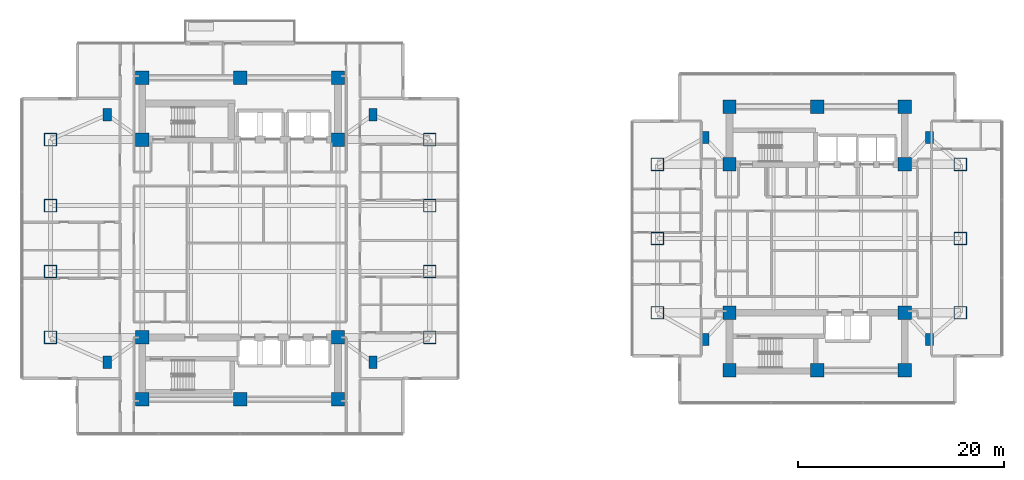
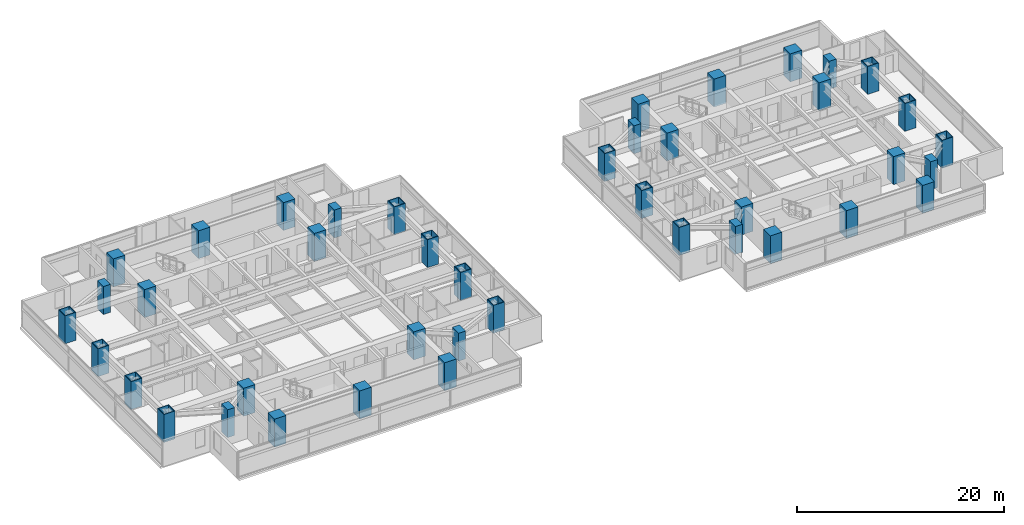
# One storey, part 1 of 25: 42 columns.
"""IFC4 building model written with IfcOpenShell, lengths in metres."""

import ifcopenshell
import ifcopenshell.guid

model = None  # the IFC model being written
_history = None  # IfcOwnerHistory: only IFC2X3 demands one
_inside = {}  # id of a spatial element -> (the spatial element, [elements in it])
_under = {}  # id of a project, library or spatial element -> (it, [spatial elements below it])
_declared = {}  # id of a project -> (the project, [libraries it declares])
_typed = {}  # id of a type object -> (the type object, [elements of that type])
_made_of = {}  # id of a material, layer set ... -> (it, [elements and type objects made of it])


def new_model(schema):
    """Start an empty IFC model of exactly this schema.

    Asked for "IFC4X3", IfcOpenShell would pick the latest addendum, in which some entities
    have other attributes; the version numbers below select the first issue.
    IFC2X3 requires an IfcOwnerHistory on every rooted entity: one is made here for all.
    """
    global model, _history
    if schema == "IFC4X3":
        model = ifcopenshell.file(schema_version=(4, 3, 0, 0))
    else:
        model = ifcopenshell.file(schema=schema)
    _inside.clear()
    _under.clear()
    _declared.clear()
    _typed.clear()
    _made_of.clear()
    _history = None
    if model.schema == "IFC2X3":
        org = make("IfcOrganization", Name="unknown")
        user = make(
            "IfcPersonAndOrganization",
            ThePerson=make("IfcPerson", FamilyName="unknown"),
            TheOrganization=org,
        )
        app = make(
            "IfcApplication",
            ApplicationDeveloper=org,
            Version="unknown",
            ApplicationFullName="unknown",
            ApplicationIdentifier="unknown",
        )
        _history = make(
            "IfcOwnerHistory",
            OwningUser=user,
            OwningApplication=app,
            ChangeAction="ADDED",
            CreationDate=0,
        )
    return model


def make(cls, **values):
    """One entity of the class cls with the attributes given. An attribute that is None is left unset."""
    return model.create_entity(
        cls, **{name: value for name, value in values.items() if value is not None}
    )


def rooted(cls, **values):
    """An entity with a GlobalId (a new one), such as an element, a storey or a relation."""
    return make(cls, GlobalId=ifcopenshell.guid.new(), OwnerHistory=_history, **values)


def si_unit(unit_type, name, prefix=None):
    """IfcSIUnit, for example si_unit("LENGTHUNIT", "METRE", prefix="MILLI")."""
    return make("IfcSIUnit", UnitType=unit_type, Prefix=prefix, Name=name)


def assignment(units):
    """IfcUnitAssignment: the units of a project."""
    return None if units is None else make("IfcUnitAssignment", Units=units)


def point(xyz):
    """IfcCartesianPoint."""
    return None if xyz is None else make("IfcCartesianPoint", Coordinates=xyz)


def direction(xyz):
    """IfcDirection."""
    return None if xyz is None else make("IfcDirection", DirectionRatios=xyz)


def frame(location, z_axis=None, x_axis=None):
    """IfcAxis2Placement3D, a coordinate frame: its origin and axes. An axis left out is left unset."""
    return make(
        "IfcAxis2Placement3D",
        Location=point(location),
        Axis=direction(z_axis),
        RefDirection=direction(x_axis),
    )


def frame_2d(location, x_axis=None):
    """IfcAxis2Placement2D, a coordinate frame in the plane: its origin and x axis."""
    return make(
        "IfcAxis2Placement2D", Location=point(location), RefDirection=direction(x_axis)
    )


def origin():
    """The frame at (0, 0, 0) with its axes left unset."""
    return frame((0.0, 0.0, 0.0))


def origin_2d():
    """The frame at (0, 0) in the plane with its x axis left unset."""
    return frame_2d((0.0, 0.0))


def place(relative_to, where):
    """IfcLocalPlacement: puts the frame where relative to a parent placement (None: the world)."""
    return make(
        "IfcLocalPlacement", PlacementRelTo=relative_to, RelativePlacement=where
    )


def context(
    kind, dimensions, precision=None, world=None, true_north=None, identifier=None
):
    """IfcGeometricRepresentationContext, for example the 3D "Model" context."""
    return make(
        "IfcGeometricRepresentationContext",
        ContextIdentifier=identifier,
        ContextType=kind,
        CoordinateSpaceDimension=dimensions,
        Precision=precision,
        WorldCoordinateSystem=world,
        TrueNorth=true_north,
    )


def subcontext(parent, identifier, kind, view, scale=None):
    """IfcGeometricRepresentationSubContext, for example "Body" below "Model"."""
    return make(
        "IfcGeometricRepresentationSubContext",
        ContextIdentifier=identifier,
        ContextType=kind,
        ParentContext=parent,
        TargetScale=scale,
        TargetView=view,
    )


def project(units=None, contexts=None):
    """IfcProject with its units and contexts."""
    return rooted(
        "IfcProject",
        Name="project",
        RepresentationContexts=contexts,
        UnitsInContext=assignment(units),
    )


def spatial(cls, under=None, at=None, **own):
    """A site, building, storey or space (cls), placed at a placement, below another one or the project."""
    s = rooted(cls, ObjectPlacement=at, **own)
    if under is not None:
        _under.setdefault(under.id(), (under, []))[1].append(s)
    return s


def profile(cls, at=None, kind="AREA", **sizes):
    """A parametric profile (cls). Its sizes go by their IFC names, for example OverallWidth=200.0."""
    return make(cls, ProfileType=kind, Position=at, **sizes)


def rectangle(**sizes):
    """IfcRectangleProfileDef."""
    return profile("IfcRectangleProfileDef", **sizes)


def hollow_rectangle(**sizes):
    """IfcRectangleHollowProfileDef."""
    return profile("IfcRectangleHollowProfileDef", **sizes)


def extrude(swept, where, along, depth):
    """IfcExtrudedAreaSolid: the profile swept, set in the frame where, extruded along a direction by depth."""
    return make(
        "IfcExtrudedAreaSolid",
        SweptArea=swept,
        Position=where,
        ExtrudedDirection=direction(along),
        Depth=depth,
    )


def shape(context_of_items, identifier, shape_type, items):
    """IfcShapeRepresentation: the items that make up one representation, for example the "Body"."""
    return make(
        "IfcShapeRepresentation",
        ContextOfItems=context_of_items,
        RepresentationIdentifier=identifier,
        RepresentationType=shape_type,
        Items=items,
    )


def material(Name=None, Category=None):
    """IfcMaterial."""
    return make("IfcMaterial", Name=Name, Category=Category)


def material_profile(
    of_material, cross_section, Name=None, Category=None, Priority=None
):
    """IfcMaterialProfile: a cross section and its material."""
    return make(
        "IfcMaterialProfile",
        Name=Name,
        Material=of_material,
        Profile=cross_section,
        Priority=Priority,
        Category=Category,
    )


def profile_set(profiles, Name=None, composite=None):
    """IfcMaterialProfileSet."""
    return make(
        "IfcMaterialProfileSet",
        Name=Name,
        MaterialProfiles=profiles,
        CompositeProfile=composite,
    )


def made_of(thing, what):
    """Note that an element or type object is made of a material, layer set ...; save() writes the relation."""
    if what is not None:
        _made_of.setdefault(what.id(), (what, []))[1].append(thing)
    return thing


def type_object(cls, material=None, **own):
    """A type object (cls), such as IfcWallType, which elements share."""
    return made_of(rooted(cls, **own), material)


def element(
    cls,
    number,
    at=None,
    inside=None,
    cuts=None,
    type_object=None,
    material=None,
    context=None,
    identifier="Body",
    shape_type=None,
    held_by="IfcProductDefinitionShape",
    body=None,
    shapes=None,
    **own,
):
    """One element of the class cls, such as IfcWall. Its Tag is "e" and its number.

    at: its placement. inside: the storey or other place that contains it. cuts: it is an
    opening in that element (IfcRelVoidsElement). A single representation is given by context,
    identifier, shape_type and body (its items); several are given by shapes. held_by: the class
    of the entity that holds the representations. save() writes the other relations.
    """
    e = rooted(cls, Tag="e%d" % number, ObjectPlacement=at, **own)
    if body is not None:
        shapes = [shape(context, identifier, shape_type, body)]
    if shapes is not None:
        e.Representation = make(held_by, Representations=shapes)
    if inside is not None:
        _inside.setdefault(inside.id(), (inside, []))[1].append(e)
    if cuts is not None:
        rooted(
            "IfcRelVoidsElement", RelatingBuildingElement=cuts, RelatedOpeningElement=e
        )
    if type_object is not None:
        _typed.setdefault(type_object.id(), (type_object, []))[1].append(e)
    return made_of(e, material)


def aggregate(whole, parts):
    """IfcRelAggregates: a whole, such as a stair, and the parts it consists of."""
    return rooted("IfcRelAggregates", RelatingObject=whole, RelatedObjects=parts)


def save(model, path):
    """Write the relations noted so far, then the file.

    IfcRelAggregates (storeys below a building ...), IfcRelContainedInSpatialStructure (elements
    in a storey), IfcRelDefinesByType, IfcRelAssociatesMaterial and IfcRelDeclares: one each for
    every whole, place, type object, material and project.
    """
    for whole, parts in _under.values():
        aggregate(whole, parts)
    for where, things in _inside.values():
        rooted(
            "IfcRelContainedInSpatialStructure",
            RelatedElements=things,
            RelatingStructure=where,
        )
    for kind, things in _typed.values():
        rooted("IfcRelDefinesByType", RelatedObjects=things, RelatingType=kind)
    for what, things in _made_of.values():
        rooted("IfcRelAssociatesMaterial", RelatedObjects=things, RelatingMaterial=what)
    for by, libraries in _declared.values():
        rooted("IfcRelDeclares", RelatingContext=by, RelatedDefinitions=libraries)
    model.write(path)


model = new_model("IFC4")

# Units and contexts
model_context = context("Model", 3, precision=1e-05, world=origin(), true_north=direction((0.0, 1.0)))
body_context = subcontext(model_context, "Body", "Model", "MODEL_VIEW")
ifc_project = project(units=[si_unit("LENGTHUNIT", "METRE"), si_unit("AREAUNIT", "SQUARE_METRE"), si_unit("VOLUMEUNIT", "CUBIC_METRE"), si_unit("PLANEANGLEUNIT", "RADIAN"), si_unit("MASSUNIT", "GRAM", prefix="KILO")], contexts=[model_context])

# Site, building, storey
site_placement = place(None, origin())
site = spatial("IfcSite", under=ifc_project, at=site_placement, CompositionType="ELEMENT")
building_placement = place(site_placement, origin())
building = spatial("IfcBuilding", under=site, at=building_placement, Name="Mirazonda Arch Towers", CompositionType="ELEMENT")
storey_placement = place(building_placement, frame((0.0, 0.0, 58.699951171875)))
storey = spatial("IfcBuildingStorey", under=building, at=storey_placement, Name="L16", CompositionType="ELEMENT", Elevation=58.699951171875)

# Columns
ifc_material_1 = material(Name="Concrete C60/75", Category="concrete")
ifc_material_profile_1 = material_profile(ifc_material_1, rectangle(XDim=1.300048828125, YDim=1.300048828125, at=origin_2d()), Name="RC1300x1300")
ifc_profile_set_1 = profile_set([ifc_material_profile_1], Name="Concrete C60/75")
column_type_1 = type_object("IfcColumnType", Name="COL-INT-RC1300x1300", PredefinedType="COLUMN", material=ifc_profile_set_1)
for number, where, z_axis, x_axis, name in (
    (1, (11.0, 12.39990234375, 0.0), (0.0, 0.0, 1.0), (1.0, 0.0, 0.0), "L16 T1 Core Column 01"),
    (2, (20.5, 12.39990234375, 0.0), (0.0, 0.0, 1.0), (1.0, 0.0, 0.0), "L16 T1 Core Column 02"),
    (3, (30.0, 12.39990234375, 0.0), (0.0, 0.0, 1.0), (1.0, 0.0, 0.0), "L16 T1 Core Column 03"),
    (4, (11.0, 18.39990234375, 0.0), (0.0, 0.0, 1.0), (1.0, 0.0, 0.0), "L16 T1 Core Column 04"),
    (5, (30.0, 18.39990234375, 0.0), (0.0, 0.0, 1.0), (1.0, 0.0, 0.0), "L16 T1 Core Column 05"),
    (6, (11.0, 37.60009765625, 0.0), (0.0, 0.0, 1.0), (1.0, 0.0, 0.0), "L16 T1 Core Column 06"),
    (7, (30.0, 37.60009765625, 0.0), (0.0, 0.0, 1.0), (1.0, 0.0, 0.0), "L16 T1 Core Column 07"),
    (8, (11.0, 43.60009765625, 0.0), (0.0, 0.0, 1.0), (1.0, 0.0, 0.0), "L16 T1 Core Column 08"),
    (9, (20.5, 43.60009765625, 0.0), (0.0, 0.0, 1.0), (1.0, 0.0, 0.0), "L16 T1 Core Column 09"),
    (10, (30.0, 43.60009765625, 0.0), (0.0, 0.0, 1.0), (1.0, 0.0, 0.0), "L16 T1 Core Column 10"),
    (11, (68.0, 15.199951171875, 0.0), (0.0, 0.0, 1.0), (1.0, 0.0, 0.0), "L16 T2 Core Column 01"),
    (12, (76.5, 15.199951171875, 0.0), (0.0, 0.0, 1.0), (1.0, 0.0, 0.0), "L16 T2 Core Column 02"),
    (13, (85.0, 15.199951171875, 0.0), (0.0, 0.0, 1.0), (1.0, 0.0, 0.0), "L16 T2 Core Column 03"),
    (14, (68.0, 20.800048828125, 0.0), (0.0, 0.0, 1.0), (1.0, 0.0, 0.0), "L16 T2 Core Column 04"),
    (15, (85.0, 20.800048828125, 0.0), (0.0, 0.0, 1.0), (1.0, 0.0, 0.0), "L16 T2 Core Column 05"),
    (16, (68.0, 35.199951171875, 0.0), (0.0, 0.0, 1.0), (1.0, 0.0, 0.0), "L16 T2 Core Column 06"),
    (17, (85.0, 35.199951171875, 0.0), (0.0, 0.0, 1.0), (1.0, 0.0, 0.0), "L16 T2 Core Column 07"),
    (18, (68.0, 40.800048828125, 0.0), (0.0, 0.0, 1.0), (1.0, 0.0, 0.0), "L16 T2 Core Column 08"),
    (19, (76.5, 40.800048828125, 0.0), (0.0, 0.0, 1.0), (1.0, 0.0, 0.0), "L16 T2 Core Column 09"),
    (20, (85.0, 40.800048828125, 0.0), (0.0, 0.0, 1.0), (1.0, 0.0, 0.0), "L16 T2 Core Column 10"),
):
    element("IfcColumn", number, at=place(storey_placement, frame(where, z_axis=z_axis, x_axis=x_axis)), inside=storey, type_object=column_type_1, Name=name, PredefinedType="COLUMN", context=body_context, shape_type="SweptSolid", body=[
        extrude(rectangle(XDim=1.300048828125, YDim=1.300048828125, at=origin_2d()), origin(), (0.0, 0.0, 1.0), 3.300048828125),
    ])
ifc_material_2 = material(Name="Steel ASTM A572 Grade 50", Category="steel")
ifc_material_profile_2 = material_profile(ifc_material_2, hollow_rectangle(XDim=1.25, YDim=1.25, WallThickness=0.070068359375, at=origin_2d()), Name="BOX1250x1250x70")
ifc_profile_set_2 = profile_set([ifc_material_profile_2], Name="Steel ASTM A572 Grade 50")
column_type_2 = type_object("IfcColumnType", Name="MCOL-EXT-BOX1250x1250x70", PredefinedType="COLUMN", material=ifc_profile_set_2)
for number, where, z_axis, x_axis, name in (
    (21, (2.10009765625, 18.39990234375, 0.0), (0.0, 0.0, 1.0), (1.0, 0.0, 0.0), "L16 T1 Composite Mega-Column 01"),
    (22, (2.10009765625, 24.800048828125, 0.0), (0.0, 0.0, 1.0), (1.0, 0.0, 0.0), "L16 T1 Composite Mega-Column 02"),
    (23, (2.10009765625, 31.199951171875, 0.0), (0.0, 0.0, 1.0), (1.0, 0.0, 0.0), "L16 T1 Composite Mega-Column 03"),
    (24, (2.10009765625, 37.60009765625, 0.0), (0.0, 0.0, 1.0), (1.0, 0.0, 0.0), "L16 T1 Composite Mega-Column 04"),
    (25, (38.89990234375, 18.39990234375, 0.0), (0.0, 0.0, 1.0), (1.0, 0.0, 0.0), "L16 T1 Composite Mega-Column 05"),
    (26, (38.89990234375, 24.800048828125, 0.0), (0.0, 0.0, 1.0), (1.0, 0.0, 0.0), "L16 T1 Composite Mega-Column 06"),
    (27, (38.89990234375, 31.199951171875, 0.0), (0.0, 0.0, 1.0), (1.0, 0.0, 0.0), "L16 T1 Composite Mega-Column 07"),
    (28, (38.89990234375, 37.60009765625, 0.0), (0.0, 0.0, 1.0), (1.0, 0.0, 0.0), "L16 T1 Composite Mega-Column 08"),
    (29, (61.0, 20.800048828125, 0.0), (0.0, 0.0, 1.0), (1.0, 0.0, 0.0), "L16 T2 Composite Mega-Column 01"),
    (30, (61.0, 28.0, 0.0), (0.0, 0.0, 1.0), (1.0, 0.0, 0.0), "L16 T2 Composite Mega-Column 02"),
    (31, (61.0, 35.199951171875, 0.0), (0.0, 0.0, 1.0), (1.0, 0.0, 0.0), "L16 T2 Composite Mega-Column 03"),
    (32, (90.39990234375, 20.800048828125, 0.0), (0.0, 0.0, 1.0), (1.0, 0.0, 0.0), "L16 T2 Composite Mega-Column 04"),
    (33, (90.39990234375, 28.0, 0.0), (0.0, 0.0, 1.0), (1.0, 0.0, 0.0), "L16 T2 Composite Mega-Column 05"),
    (34, (90.39990234375, 35.199951171875, 0.0), (0.0, 0.0, 1.0), (1.0, 0.0, 0.0), "L16 T2 Composite Mega-Column 06"),
):
    element("IfcColumn", number, at=place(storey_placement, frame(where, z_axis=z_axis, x_axis=x_axis)), inside=storey, type_object=column_type_2, Name=name, PredefinedType="COLUMN", context=body_context, shape_type="SweptSolid", body=[
        extrude(hollow_rectangle(XDim=1.25, YDim=1.25, WallThickness=0.070068359375, at=origin_2d()), origin(), (0.0, 0.0, 1.0), 3.300048828125),
    ])
ifc_material_profile_3 = material_profile(ifc_material_1, rectangle(XDim=0.800048828125, YDim=1.199951171875, at=origin_2d()), Name="RC1200x800")
ifc_profile_set_3 = profile_set([ifc_material_profile_3], Name="Concrete C60/75")
column_type_3 = type_object("IfcColumnType", Name="PIL-EXT-RC1200x800", PredefinedType="PILASTER", material=ifc_profile_set_3)
for number, where, z_axis, x_axis, name in (
    (35, (7.60009765625, 16.0, 0.0), (0.0, 0.0, 1.0), (1.0, 0.0, 0.0), "L16 T1 Corner Pilaster 01"),
    (36, (33.39990234375, 16.0, 0.0), (0.0, 0.0, 1.0), (1.0, 0.0, 0.0), "L16 T1 Corner Pilaster 02"),
    (37, (7.60009765625, 40.0, 0.0), (0.0, 0.0, 1.0), (1.0, 0.0, 0.0), "L16 T1 Corner Pilaster 03"),
    (38, (33.39990234375, 40.0, 0.0), (0.0, 0.0, 1.0), (1.0, 0.0, 0.0), "L16 T1 Corner Pilaster 04"),
    (39, (65.60009765625, 18.199951171875, 0.0), (0.0, 0.0, 1.0), (1.0, 0.0, 0.0), "L16 T2 Corner Pilaster 01"),
    (40, (87.39990234375, 18.199951171875, 0.0), (0.0, 0.0, 1.0), (1.0, 0.0, 0.0), "L16 T2 Corner Pilaster 02"),
    (41, (65.60009765625, 37.800048828125, 0.0), (0.0, 0.0, 1.0), (1.0, 0.0, 0.0), "L16 T2 Corner Pilaster 03"),
    (42, (87.39990234375, 37.800048828125, 0.0), (0.0, 0.0, 1.0), (1.0, 0.0, 0.0), "L16 T2 Corner Pilaster 04"),
):
    element("IfcColumn", number, at=place(storey_placement, frame(where, z_axis=z_axis, x_axis=x_axis)), inside=storey, type_object=column_type_3, Name=name, PredefinedType="PILASTER", context=body_context, shape_type="SweptSolid", body=[
        extrude(rectangle(XDim=0.800048828125, YDim=1.199951171875, at=origin_2d()), origin(), (0.0, 0.0, 1.0), 3.300048828125),
    ])

save(model, "model.ifc")
